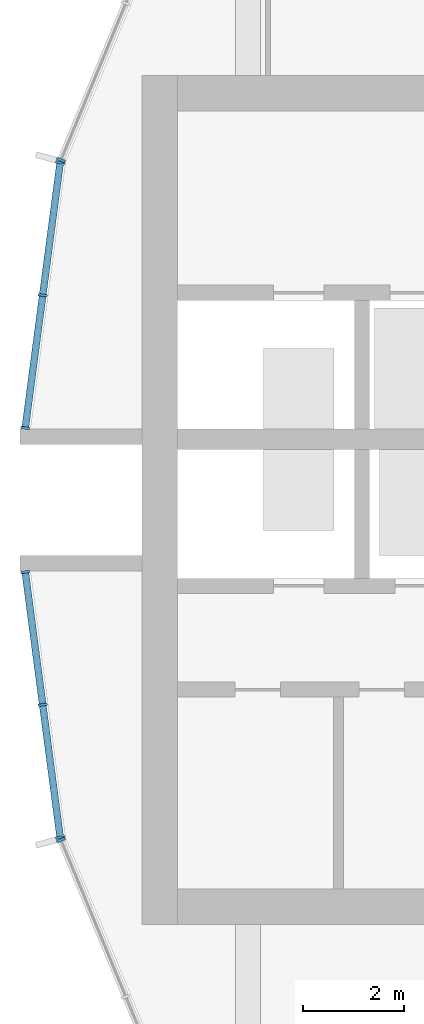
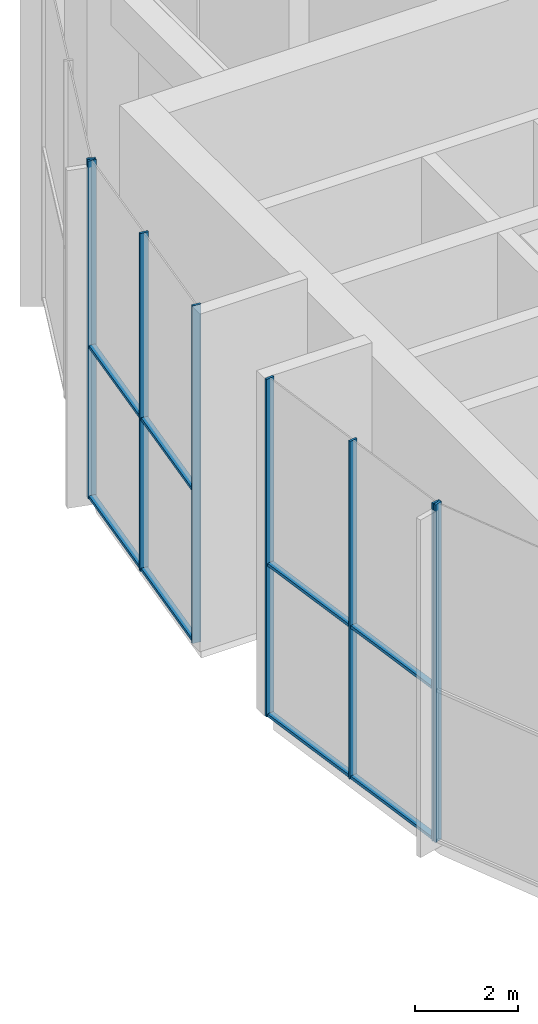
# One storey, part 4 of 18: 16 members, 4 elements without a shape of their own.
"""IFC4 building model written with IfcOpenShell, lengths in metres."""

from ifc_helpers import new_model, si_unit, direction, frame, origin, origin_2d, place, context, subcontext, project, spatial, rectangle, extrude, material, layer, layer_set, material_profile, profile_set, type_object, element, aggregate, save


model = new_model("IFC4")

# Units and contexts
model_context = context("Model", 3, precision=1e-05, world=origin(), true_north=direction((0.0, 1.0)))
body_context = subcontext(model_context, "Body", "Model", "MODEL_VIEW")
ifc_project = project(units=[si_unit("LENGTHUNIT", "METRE"), si_unit("AREAUNIT", "SQUARE_METRE"), si_unit("VOLUMEUNIT", "CUBIC_METRE"), si_unit("PLANEANGLEUNIT", "RADIAN"), si_unit("MASSUNIT", "GRAM", prefix="KILO")], contexts=[model_context])

# Site, building, storey
site_placement = place(None, origin())
site = spatial("IfcSite", under=ifc_project, at=site_placement, CompositionType="ELEMENT")
building_placement = place(site_placement, origin())
building = spatial("IfcBuilding", under=site, at=building_placement, Name="Torre Brocal", CompositionType="ELEMENT")
storey_placement = place(building_placement, frame((0.0, 0.0, 149.699951171875)))
storey = spatial("IfcBuildingStorey", under=building, at=storey_placement, Name="L35", CompositionType="ELEMENT", Elevation=149.699951171875)

# Curtain wall, member
ifc_material_1 = material(Name="Aluminium and glass", Category="aluminium")
ifc_layer = layer(ifc_material_1, 0.199951171875)
ifc_layer_set = layer_set([ifc_layer], Name="Aluminium and glass")
curtain_wall_type = type_object("IfcCurtainWallType", Name="CW-4 CURTAIN WALL 8000 HIGH", PredefinedType="NOTDEFINED", material=ifc_layer_set)
curtain_wall_1_placement = place(storey_placement, origin())
curtain_wall_1 = element("IfcCurtainWall", 1, at=curtain_wall_1_placement, inside=storey, type_object=curtain_wall_type, Name="CW-4 RUN 11", PredefinedType="NOTDEFINED")
ifc_material_2 = material(Name="Aluminium, dark anodised", Category="aluminium")
ifc_material_profile_1 = material_profile(ifc_material_2, rectangle(XDim=0.179931640625, YDim=0.050048828125, at=origin_2d()), Name="CW-4 MULLION 50X180")
ifc_profile_set_1 = profile_set([ifc_material_profile_1], Name="Aluminium, dark anodised")
member_type_1 = type_object("IfcMemberType", Name="CW-4 MULLION 50X180", PredefinedType="MULLION", material=ifc_profile_set_1)
member_1_placement = place(storey_placement, frame((54.992919921875, 81.726318359375, 0.0), z_axis=(0.0, 0.0, 1.0), x_axis=(0.923879532525, -0.382683432333, 0.0)))
member_1 = element("IfcMember", 2, at=member_1_placement, type_object=member_type_1, Name="CW4-1 mullion 3", PredefinedType="MULLION", context=body_context, shape_type="SweptSolid", body=[
    extrude(rectangle(XDim=0.179931640625, YDim=0.050048828125, at=origin_2d()), origin(), (0.0, 0.0, 1.0), 8.0),
])
aggregate(curtain_wall_1, [member_1])

# Curtain wall, members
curtain_wall_2_placement = place(storey_placement, origin())
curtain_wall_2 = element("IfcCurtainWall", 3, at=curtain_wall_2_placement, inside=storey, type_object=curtain_wall_type, Name="CW-4 RUN 12", PredefinedType="NOTDEFINED")
member_2_placement = place(storey_placement, frame((54.97998046875, 81.678466796875, 0.0), z_axis=(0.0, 0.0, 1.0), x_axis=(0.991444861374, -0.13052619222, 0.0)))
member_2 = element("IfcMember", 4, at=member_2_placement, type_object=member_type_1, Name="CW4-1 mullion 1", PredefinedType="MULLION", context=body_context, shape_type="SweptSolid", body=[
    extrude(rectangle(XDim=0.179931640625, YDim=0.050048828125, at=origin_2d()), origin(), (0.0, 0.0, 1.0), 8.0),
])
member_3_placement = place(storey_placement, frame((54.63427734375, 79.051513671875, 0.0), z_axis=(0.0, 0.0, 1.0), x_axis=(0.991444861374, -0.13052619222, 0.0)))
member_3 = element("IfcMember", 5, at=member_3_placement, type_object=member_type_1, Name="CW4-1 mullion 2", PredefinedType="MULLION", context=body_context, shape_type="SweptSolid", body=[
    extrude(rectangle(XDim=0.179931640625, YDim=0.050048828125, at=origin_2d()), origin(), (0.0, 0.0, 1.0), 8.0),
])
member_4_placement = place(storey_placement, frame((54.288330078125, 76.4248046875, 0.0), z_axis=(0.0, 0.0, 1.0), x_axis=(0.991444861374, -0.13052619222, 0.0)))
member_4 = element("IfcMember", 6, at=member_4_placement, type_object=member_type_1, Name="CW4-1 mullion 3", PredefinedType="MULLION", context=body_context, shape_type="SweptSolid", body=[
    extrude(rectangle(XDim=0.179931640625, YDim=0.050048828125, at=origin_2d()), origin(), (0.0, 0.0, 1.0), 8.0),
])

curtain_wall_3_placement = place(storey_placement, origin())
curtain_wall_3 = element("IfcCurtainWall", 7, at=curtain_wall_3_placement, inside=storey, type_object=curtain_wall_type, Name="CW-4 RUN 13", PredefinedType="NOTDEFINED")
member_5_placement = place(storey_placement, frame((54.288330078125, 73.5751953125, 0.0), z_axis=(0.0, 0.0, 1.0), x_axis=(0.991444861374, 0.13052619222, 0.0)))
member_5 = element("IfcMember", 8, at=member_5_placement, type_object=member_type_1, Name="CW4-1 mullion 1", PredefinedType="MULLION", context=body_context, shape_type="SweptSolid", body=[
    extrude(rectangle(XDim=0.179931640625, YDim=0.050048828125, at=origin_2d()), origin(), (0.0, 0.0, 1.0), 8.0),
])
member_6_placement = place(storey_placement, frame((54.63427734375, 70.948486328125, 0.0), z_axis=(0.0, 0.0, 1.0), x_axis=(0.991444861374, 0.13052619222, 0.0)))
member_6 = element("IfcMember", 9, at=member_6_placement, type_object=member_type_1, Name="CW4-1 mullion 2", PredefinedType="MULLION", context=body_context, shape_type="SweptSolid", body=[
    extrude(rectangle(XDim=0.179931640625, YDim=0.050048828125, at=origin_2d()), origin(), (0.0, 0.0, 1.0), 8.0),
])
member_7_placement = place(storey_placement, frame((54.97998046875, 68.321533203125, 0.0), z_axis=(0.0, 0.0, 1.0), x_axis=(0.991444861374, 0.13052619222, 0.0)))
member_7 = element("IfcMember", 10, at=member_7_placement, type_object=member_type_1, Name="CW4-1 mullion 3", PredefinedType="MULLION", context=body_context, shape_type="SweptSolid", body=[
    extrude(rectangle(XDim=0.179931640625, YDim=0.050048828125, at=origin_2d()), origin(), (0.0, 0.0, 1.0), 8.0),
])

# Curtain wall, member
curtain_wall_4_placement = place(storey_placement, origin())
curtain_wall_4 = element("IfcCurtainWall", 11, at=curtain_wall_4_placement, inside=storey, type_object=curtain_wall_type, Name="CW-4 RUN 14", PredefinedType="NOTDEFINED")
member_8_placement = place(storey_placement, frame((54.992919921875, 68.273681640625, 0.0), z_axis=(0.0, 0.0, 1.0), x_axis=(0.923879532525, 0.382683432333, 0.0)))
member_8 = element("IfcMember", 12, at=member_8_placement, type_object=member_type_1, Name="CW4-1 mullion 1", PredefinedType="MULLION", context=body_context, shape_type="SweptSolid", body=[
    extrude(rectangle(XDim=0.179931640625, YDim=0.050048828125, at=origin_2d()), origin(), (0.0, 0.0, 1.0), 8.0),
])
aggregate(curtain_wall_4, [member_8])

# Member
ifc_material_3 = material(Name="Aluminium, dark anodised", Category="aluminium")
ifc_material_profile_2 = material_profile(ifc_material_3, rectangle(XDim=0.139892578125, YDim=0.070068359375, at=origin_2d()), Name="CW-4 TRANSOM 140X70")
ifc_profile_set_2 = profile_set([ifc_material_profile_2], Name="Aluminium, dark anodised")
member_type_2 = type_object("IfcMemberType", Name="CW-4 TRANSOM 140X70", PredefinedType="USERDEFINED", material=ifc_profile_set_2)
member_9_placement = place(storey_placement, frame((54.976806640625, 81.653564453125, 0.03515625), z_axis=(-0.130551694767, -0.991441503566, 0.0), x_axis=(0.991441503566, -0.130551694767, 0.0)))
member_9 = element("IfcMember", 13, at=member_9_placement, type_object=member_type_2, Name="CW4-1 transom 1.1", ObjectType="TRANSOM", PredefinedType="USERDEFINED", context=body_context, shape_type="SweptSolid", body=[
    extrude(rectangle(XDim=0.139892578125, YDim=0.070068359375, at=origin_2d()), origin(), (0.0, 0.0, 1.0), 2.599365234375),
])

member_10_placement = place(storey_placement, frame((54.976806640625, 81.653564453125, 3.60009765625), z_axis=(-0.130551694767, -0.991441503566, 0.0), x_axis=(0.991441503566, -0.130551694767, 0.0)))
member_10 = element("IfcMember", 14, at=member_10_placement, type_object=member_type_2, Name="CW4-1 transom 1.2", ObjectType="TRANSOM", PredefinedType="USERDEFINED", context=body_context, shape_type="SweptSolid", body=[
    extrude(rectangle(XDim=0.139892578125, YDim=0.070068359375, at=origin_2d()), origin(), (0.0, 0.0, 1.0), 2.599365234375),
])

member_11_placement = place(storey_placement, frame((54.631103515625, 79.02685546875, 0.03515625), z_axis=(-0.130539539143, -0.991443104127, 0.0), x_axis=(0.991443104127, -0.130539539143, 0.0)))
member_11 = element("IfcMember", 15, at=member_11_placement, type_object=member_type_2, Name="CW4-1 transom 2.1", ObjectType="TRANSOM", PredefinedType="USERDEFINED", context=body_context, shape_type="SweptSolid", body=[
    extrude(rectangle(XDim=0.139892578125, YDim=0.070068359375, at=origin_2d()), origin(), (0.0, 0.0, 1.0), 2.599609375),
])

member_12_placement = place(storey_placement, frame((54.631103515625, 79.02685546875, 3.60009765625), z_axis=(-0.130539539143, -0.991443104127, 0.0), x_axis=(0.991443104127, -0.130539539143, 0.0)))
member_12 = element("IfcMember", 16, at=member_12_placement, type_object=member_type_2, Name="CW4-1 transom 2.2", ObjectType="TRANSOM", PredefinedType="USERDEFINED", context=body_context, shape_type="SweptSolid", body=[
    extrude(rectangle(XDim=0.139892578125, YDim=0.070068359375, at=origin_2d()), origin(), (0.0, 0.0, 1.0), 2.599609375),
])

aggregate(curtain_wall_2, [member_2, member_3, member_4, member_9, member_10, member_11, member_12])

member_13_placement = place(storey_placement, frame((54.291748046875, 73.550537109375, 0.03515625), z_axis=(0.130539539143, -0.991443104127, 0.0), x_axis=(0.991443104127, 0.130539539143, 0.0)))
member_13 = element("IfcMember", 17, at=member_13_placement, type_object=member_type_2, Name="CW4-1 transom 1.1", ObjectType="TRANSOM", PredefinedType="USERDEFINED", context=body_context, shape_type="SweptSolid", body=[
    extrude(rectangle(XDim=0.139892578125, YDim=0.070068359375, at=origin_2d()), origin(), (0.0, 0.0, 1.0), 2.599609375),
])

member_14_placement = place(storey_placement, frame((54.291748046875, 73.550537109375, 3.60009765625), z_axis=(0.130539539143, -0.991443104127, 0.0), x_axis=(0.991443104127, 0.130539539143, 0.0)))
member_14 = element("IfcMember", 18, at=member_14_placement, type_object=member_type_2, Name="CW4-1 transom 1.2", ObjectType="TRANSOM", PredefinedType="USERDEFINED", context=body_context, shape_type="SweptSolid", body=[
    extrude(rectangle(XDim=0.139892578125, YDim=0.070068359375, at=origin_2d()), origin(), (0.0, 0.0, 1.0), 2.599609375),
])

member_15_placement = place(storey_placement, frame((54.637451171875, 70.923583984375, 0.03515625), z_axis=(0.130551694767, -0.991441503566, 0.0), x_axis=(0.991441503566, 0.130551694767, 0.0)))
member_15 = element("IfcMember", 19, at=member_15_placement, type_object=member_type_2, Name="CW4-1 transom 2.1", ObjectType="TRANSOM", PredefinedType="USERDEFINED", context=body_context, shape_type="SweptSolid", body=[
    extrude(rectangle(XDim=0.139892578125, YDim=0.070068359375, at=origin_2d()), origin(), (0.0, 0.0, 1.0), 2.599365234375),
])

member_16_placement = place(storey_placement, frame((54.637451171875, 70.923583984375, 3.60009765625), z_axis=(0.130551694767, -0.991441503566, 0.0), x_axis=(0.991441503566, 0.130551694767, 0.0)))
member_16 = element("IfcMember", 20, at=member_16_placement, type_object=member_type_2, Name="CW4-1 transom 2.2", ObjectType="TRANSOM", PredefinedType="USERDEFINED", context=body_context, shape_type="SweptSolid", body=[
    extrude(rectangle(XDim=0.139892578125, YDim=0.070068359375, at=origin_2d()), origin(), (0.0, 0.0, 1.0), 2.599365234375),
])

aggregate(curtain_wall_3, [member_5, member_6, member_7, member_13, member_14, member_15, member_16])

save(model, "model.ifc")
